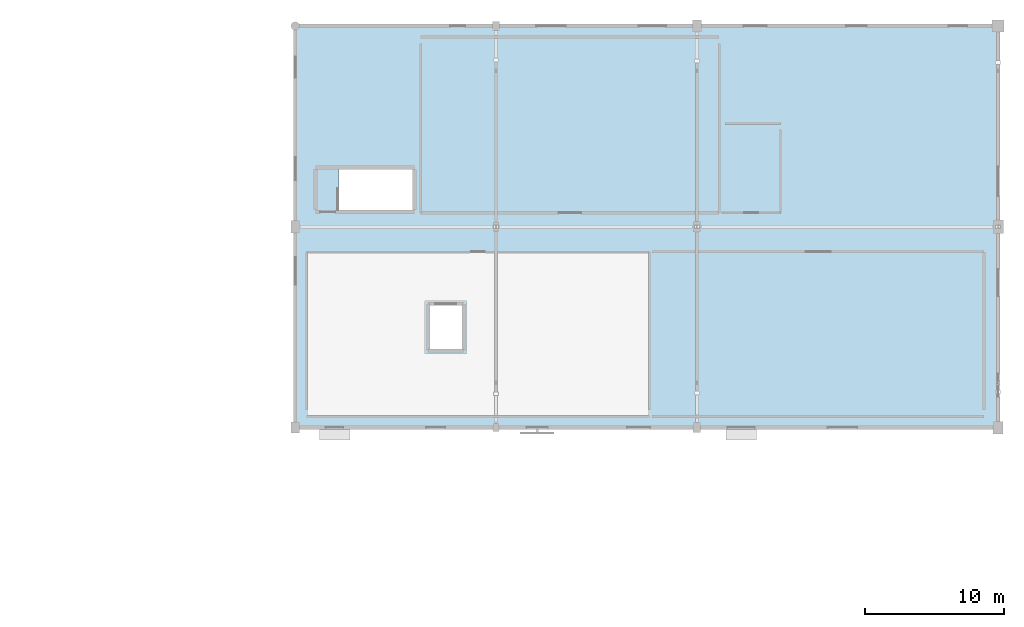
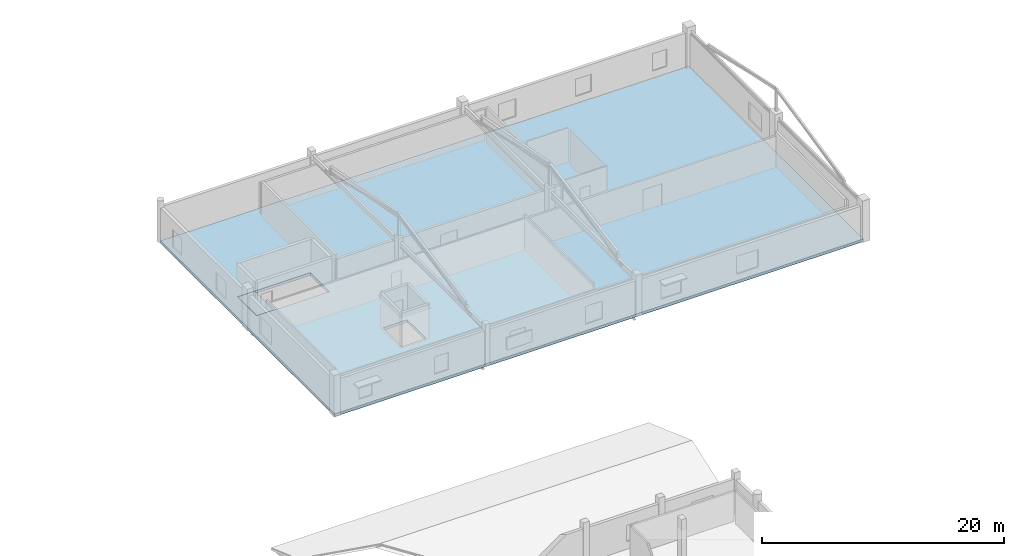
# One storey, part 58 of 92: 2 slabs.
"""IFC4 building model written with IfcOpenShell, lengths in metres."""

import ifcopenshell
import ifcopenshell.guid

model = None  # the IFC model being written
_history = None  # IfcOwnerHistory: only IFC2X3 demands one
_inside = {}  # id of a spatial element -> (the spatial element, [elements in it])
_under = {}  # id of a project, library or spatial element -> (it, [spatial elements below it])
_declared = {}  # id of a project -> (the project, [libraries it declares])
_typed = {}  # id of a type object -> (the type object, [elements of that type])
_made_of = {}  # id of a material, layer set ... -> (it, [elements and type objects made of it])


def new_model(schema):
    """Start an empty IFC model of exactly this schema.

    Asked for "IFC4X3", IfcOpenShell would pick the latest addendum, in which some entities
    have other attributes; the version numbers below select the first issue.
    IFC2X3 requires an IfcOwnerHistory on every rooted entity: one is made here for all.
    """
    global model, _history
    if schema == "IFC4X3":
        model = ifcopenshell.file(schema_version=(4, 3, 0, 0))
    else:
        model = ifcopenshell.file(schema=schema)
    _inside.clear()
    _under.clear()
    _declared.clear()
    _typed.clear()
    _made_of.clear()
    _history = None
    if model.schema == "IFC2X3":
        org = make("IfcOrganization", Name="unknown")
        user = make(
            "IfcPersonAndOrganization",
            ThePerson=make("IfcPerson", FamilyName="unknown"),
            TheOrganization=org,
        )
        app = make(
            "IfcApplication",
            ApplicationDeveloper=org,
            Version="unknown",
            ApplicationFullName="unknown",
            ApplicationIdentifier="unknown",
        )
        _history = make(
            "IfcOwnerHistory",
            OwningUser=user,
            OwningApplication=app,
            ChangeAction="ADDED",
            CreationDate=0,
        )
    return model


def make(cls, **values):
    """One entity of the class cls with the attributes given. An attribute that is None is left unset."""
    return model.create_entity(
        cls, **{name: value for name, value in values.items() if value is not None}
    )


def rooted(cls, **values):
    """An entity with a GlobalId (a new one), such as an element, a storey or a relation."""
    return make(cls, GlobalId=ifcopenshell.guid.new(), OwnerHistory=_history, **values)


def si_unit(unit_type, name, prefix=None):
    """IfcSIUnit, for example si_unit("LENGTHUNIT", "METRE", prefix="MILLI")."""
    return make("IfcSIUnit", UnitType=unit_type, Prefix=prefix, Name=name)


def assignment(units):
    """IfcUnitAssignment: the units of a project."""
    return None if units is None else make("IfcUnitAssignment", Units=units)


def point(xyz):
    """IfcCartesianPoint."""
    return None if xyz is None else make("IfcCartesianPoint", Coordinates=xyz)


def direction(xyz):
    """IfcDirection."""
    return None if xyz is None else make("IfcDirection", DirectionRatios=xyz)


def frame(location, z_axis=None, x_axis=None):
    """IfcAxis2Placement3D, a coordinate frame: its origin and axes. An axis left out is left unset."""
    return make(
        "IfcAxis2Placement3D",
        Location=point(location),
        Axis=direction(z_axis),
        RefDirection=direction(x_axis),
    )


def origin():
    """The frame at (0, 0, 0) with its axes left unset."""
    return frame((0.0, 0.0, 0.0))


def place(relative_to, where):
    """IfcLocalPlacement: puts the frame where relative to a parent placement (None: the world)."""
    return make(
        "IfcLocalPlacement", PlacementRelTo=relative_to, RelativePlacement=where
    )


def context(
    kind, dimensions, precision=None, world=None, true_north=None, identifier=None
):
    """IfcGeometricRepresentationContext, for example the 3D "Model" context."""
    return make(
        "IfcGeometricRepresentationContext",
        ContextIdentifier=identifier,
        ContextType=kind,
        CoordinateSpaceDimension=dimensions,
        Precision=precision,
        WorldCoordinateSystem=world,
        TrueNorth=true_north,
    )


def subcontext(parent, identifier, kind, view, scale=None):
    """IfcGeometricRepresentationSubContext, for example "Body" below "Model"."""
    return make(
        "IfcGeometricRepresentationSubContext",
        ContextIdentifier=identifier,
        ContextType=kind,
        ParentContext=parent,
        TargetScale=scale,
        TargetView=view,
    )


def project(units=None, contexts=None):
    """IfcProject with its units and contexts."""
    return rooted(
        "IfcProject",
        Name="project",
        RepresentationContexts=contexts,
        UnitsInContext=assignment(units),
    )


def spatial(cls, under=None, at=None, **own):
    """A site, building, storey or space (cls), placed at a placement, below another one or the project."""
    s = rooted(cls, ObjectPlacement=at, **own)
    if under is not None:
        _under.setdefault(under.id(), (under, []))[1].append(s)
    return s


def polyline(points):
    """IfcPolyline through the points."""
    return make("IfcPolyline", Points=[point(p) for p in points])


def outline(outer, holes=None, kind="AREA"):
    """IfcArbitraryClosedProfileDef: a profile drawn as a closed curve; with holes, ...WithVoids."""
    if holes is None:
        return make("IfcArbitraryClosedProfileDef", ProfileType=kind, OuterCurve=outer)
    return make(
        "IfcArbitraryProfileDefWithVoids",
        ProfileType=kind,
        OuterCurve=outer,
        InnerCurves=holes,
    )


def extrude(swept, where, along, depth):
    """IfcExtrudedAreaSolid: the profile swept, set in the frame where, extruded along a direction by depth."""
    return make(
        "IfcExtrudedAreaSolid",
        SweptArea=swept,
        Position=where,
        ExtrudedDirection=direction(along),
        Depth=depth,
    )


def shape(context_of_items, identifier, shape_type, items):
    """IfcShapeRepresentation: the items that make up one representation, for example the "Body"."""
    return make(
        "IfcShapeRepresentation",
        ContextOfItems=context_of_items,
        RepresentationIdentifier=identifier,
        RepresentationType=shape_type,
        Items=items,
    )


def material(Name=None, Category=None):
    """IfcMaterial."""
    return make("IfcMaterial", Name=Name, Category=Category)


def layer(
    of_material, thickness, ventilated=None, Name=None, Category=None, Priority=None
):
    """IfcMaterialLayer: one layer of a wall or slab, of a material (None: an air gap)."""
    return make(
        "IfcMaterialLayer",
        Material=of_material,
        LayerThickness=thickness,
        IsVentilated=ventilated,
        Name=Name,
        Category=Category,
        Priority=Priority,
    )


def layer_set(layers, Name=None):
    """IfcMaterialLayerSet."""
    return make("IfcMaterialLayerSet", MaterialLayers=layers, LayerSetName=Name)


def made_of(thing, what):
    """Note that an element or type object is made of a material, layer set ...; save() writes the relation."""
    if what is not None:
        _made_of.setdefault(what.id(), (what, []))[1].append(thing)
    return thing


def type_object(cls, material=None, **own):
    """A type object (cls), such as IfcWallType, which elements share."""
    return made_of(rooted(cls, **own), material)


def element(
    cls,
    number,
    at=None,
    inside=None,
    cuts=None,
    type_object=None,
    material=None,
    context=None,
    identifier="Body",
    shape_type=None,
    held_by="IfcProductDefinitionShape",
    body=None,
    shapes=None,
    **own,
):
    """One element of the class cls, such as IfcWall. Its Tag is "e" and its number.

    at: its placement. inside: the storey or other place that contains it. cuts: it is an
    opening in that element (IfcRelVoidsElement). A single representation is given by context,
    identifier, shape_type and body (its items); several are given by shapes. held_by: the class
    of the entity that holds the representations. save() writes the other relations.
    """
    e = rooted(cls, Tag="e%d" % number, ObjectPlacement=at, **own)
    if body is not None:
        shapes = [shape(context, identifier, shape_type, body)]
    if shapes is not None:
        e.Representation = make(held_by, Representations=shapes)
    if inside is not None:
        _inside.setdefault(inside.id(), (inside, []))[1].append(e)
    if cuts is not None:
        rooted(
            "IfcRelVoidsElement", RelatingBuildingElement=cuts, RelatedOpeningElement=e
        )
    if type_object is not None:
        _typed.setdefault(type_object.id(), (type_object, []))[1].append(e)
    return made_of(e, material)


def aggregate(whole, parts):
    """IfcRelAggregates: a whole, such as a stair, and the parts it consists of."""
    return rooted("IfcRelAggregates", RelatingObject=whole, RelatedObjects=parts)


def save(model, path):
    """Write the relations noted so far, then the file.

    IfcRelAggregates (storeys below a building ...), IfcRelContainedInSpatialStructure (elements
    in a storey), IfcRelDefinesByType, IfcRelAssociatesMaterial and IfcRelDeclares: one each for
    every whole, place, type object, material and project.
    """
    for whole, parts in _under.values():
        aggregate(whole, parts)
    for where, things in _inside.values():
        rooted(
            "IfcRelContainedInSpatialStructure",
            RelatedElements=things,
            RelatingStructure=where,
        )
    for kind, things in _typed.values():
        rooted("IfcRelDefinesByType", RelatedObjects=things, RelatingType=kind)
    for what, things in _made_of.values():
        rooted("IfcRelAssociatesMaterial", RelatedObjects=things, RelatingMaterial=what)
    for by, libraries in _declared.values():
        rooted("IfcRelDeclares", RelatingContext=by, RelatedDefinitions=libraries)
    model.write(path)


model = new_model("IFC4")

# Units and contexts
model_context = context("Model", 3, precision=1e-05, world=origin(), true_north=direction((0.0, 1.0)))
body_context = subcontext(model_context, "Body", "Model", "MODEL_VIEW")
ifc_project = project(units=[si_unit("LENGTHUNIT", "METRE"), si_unit("AREAUNIT", "SQUARE_METRE"), si_unit("VOLUMEUNIT", "CUBIC_METRE"), si_unit("PLANEANGLEUNIT", "RADIAN"), si_unit("MASSUNIT", "GRAM", prefix="KILO")], contexts=[model_context])

# Site, building, storey
site_placement = place(None, origin())
site = spatial("IfcSite", under=ifc_project, at=site_placement, CompositionType="ELEMENT")
building_placement = place(site_placement, origin())
building = spatial("IfcBuilding", under=site, at=building_placement, Name="Solanera Park Tramway Depot", CompositionType="ELEMENT")
storey_placement = place(building_placement, frame((0.0, 0.0, 4.800048828125)))
storey = spatial("IfcBuildingStorey", under=building, at=storey_placement, Name="L01", CompositionType="ELEMENT", Elevation=4.800048828125)

# Slabs
ifc_material_1 = material(Name="Concrete N40 (C40/50)", Category="concrete")
ifc_layer_1 = layer(ifc_material_1, 0.27490234375)
ifc_layer_set_1 = layer_set([ifc_layer_1], Name="Concrete N40 (C40/50)")
slab_type_1 = type_object("IfcSlabType", Name="Slab Floor 275", PredefinedType="FLOOR", material=ifc_layer_set_1)
slab_1_placement = place(storey_placement, frame((0.0, 0.0, -0.275146484375)))
element("IfcSlab", 1, at=slab_1_placement, inside=storey, type_object=slab_type_1, Name="L01 Structural Slab SL-L01-V3", PredefinedType="FLOOR", context=body_context, shape_type="SweptSolid", body=[
    extrude(outline(polyline([(165.60009765625, 144.0), (216.0, 144.0), (216.0, 115.199951171875), (165.60009765625, 115.199951171875), (165.60009765625, 144.0)]), holes=[polyline([(167.074951171875, 133.824951171875), (167.074951171875, 130.675048828125), (174.0, 130.675048828125), (174.0, 133.824951171875), (167.074951171875, 133.824951171875)]), polyline([(177.550048828125, 123.949951171875), (175.25, 123.949951171875), (175.25, 120.85009765625), (177.550048828125, 120.85009765625), (177.550048828125, 123.949951171875)])]), origin(), (0.0, 0.0, 1.0), 0.275146484375),
])
ifc_material_2 = material(Name="Concrete N40 (C40/50)", Category="concrete")
ifc_layer_2 = layer(ifc_material_2, 0.27490234375)
ifc_layer_set_2 = layer_set([ifc_layer_2], Name="Concrete N40 (C40/50)")
slab_type_2 = type_object("IfcSlabType", Name="Slab Stair Floor Landing 275", PredefinedType="LANDING", material=ifc_layer_set_2)
slab_2_placement = place(storey_placement, frame((0.0, 0.0, -0.275146484375)))
element("IfcSlab", 2, at=slab_2_placement, inside=storey, type_object=slab_type_2, Name="ST-11 L01 Floor Landing", PredefinedType="LANDING", context=body_context, shape_type="SweptSolid", body=[
    extrude(outline(polyline([(167.080078125, 130.679931640625), (168.699951171875, 130.679931640625), (168.699951171875, 133.820068359375), (167.080078125, 133.820068359375), (167.080078125, 130.679931640625)])), origin(), (0.0, 0.0, 1.0), 0.275146484375),
])

save(model, "model.ifc")
